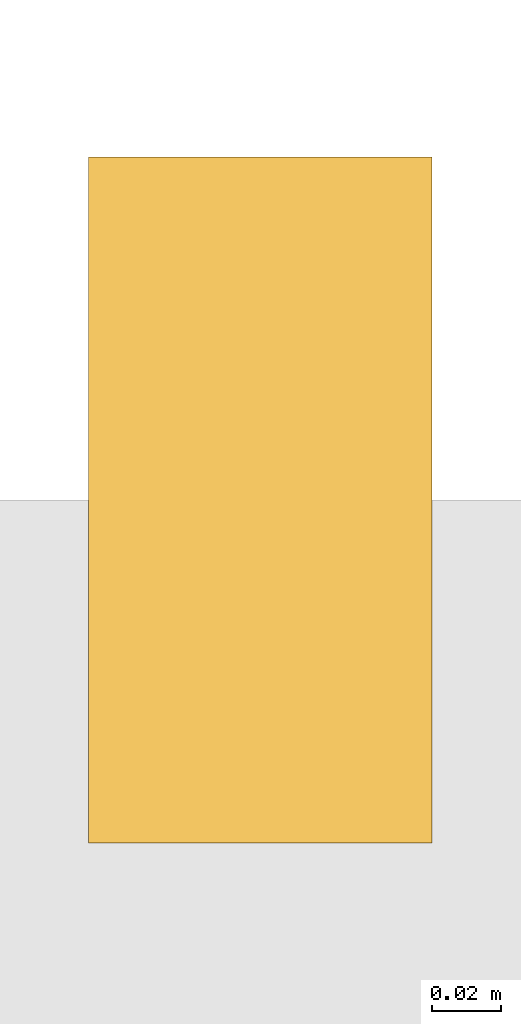
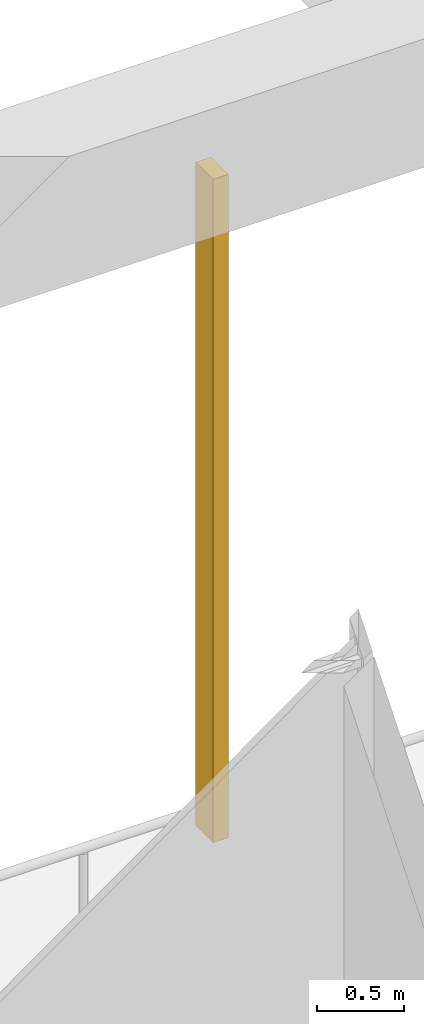
# One storey, part 28 of 33: 1 shading device.
"""IFC4 building model written with IfcOpenShell, lengths in metres."""

from ifc_helpers import new_model, si_unit, direction, frame, origin, origin_2d, place, context, subcontext, project, spatial, rectangle, extrude, material, material_profile, profile_set, type_object, element, save


model = new_model("IFC4")

# Units and contexts
model_context = context("Model", 3, precision=1e-05, world=origin(), true_north=direction((0.0, 1.0)))
body_context = subcontext(model_context, "Body", "Model", "MODEL_VIEW")
ifc_project = project(units=[si_unit("LENGTHUNIT", "METRE"), si_unit("AREAUNIT", "SQUARE_METRE"), si_unit("VOLUMEUNIT", "CUBIC_METRE"), si_unit("PLANEANGLEUNIT", "RADIAN"), si_unit("MASSUNIT", "GRAM", prefix="KILO")], contexts=[model_context])

# Site, building, storey
site_placement = place(None, origin())
site = spatial("IfcSite", under=ifc_project, at=site_placement, CompositionType="ELEMENT")
building_placement = place(site_placement, origin())
building = spatial("IfcBuilding", under=site, at=building_placement, Name="Vermilion Gate Residences", CompositionType="ELEMENT")
storey_placement = place(building_placement, frame((0.0, 0.0, 14.39990234375)))
storey = spatial("IfcBuildingStorey", under=building, at=storey_placement, Name="L02", CompositionType="ELEMENT", Elevation=14.39990234375)

# Shading device
ifc_material = material(Name="Extruded terracotta", Category="masonry")
ifc_material_profile = material_profile(ifc_material, rectangle(XDim=0.199951171875, YDim=0.10009765625, at=origin_2d()), Name="BAGUETTE 100 X 200")
ifc_profile_set = profile_set([ifc_material_profile], Name="Extruded terracotta")
shading_device_type = type_object("IfcShadingDeviceType", Name="TERRACOTTA BAGUETTE 100 X 200", PredefinedType="JALOUSIE", material=ifc_profile_set)
shading_device_placement = place(storey_placement, frame((63.0, 25.5, -0.449951171875), z_axis=(0.0, 0.0, 1.0), x_axis=(0.0, -1.0, 0.0)))
element("IfcShadingDevice", 1, at=shading_device_placement, inside=storey, type_object=shading_device_type, Name="BAGUETTE", PredefinedType="JALOUSIE", context=body_context, shape_type="SweptSolid", body=[
    extrude(rectangle(XDim=0.199951171875, YDim=0.10009765625, at=origin_2d()), origin(), (0.0, 0.0, 1.0), 4.650146484375),
])

save(model, "model.ifc")
